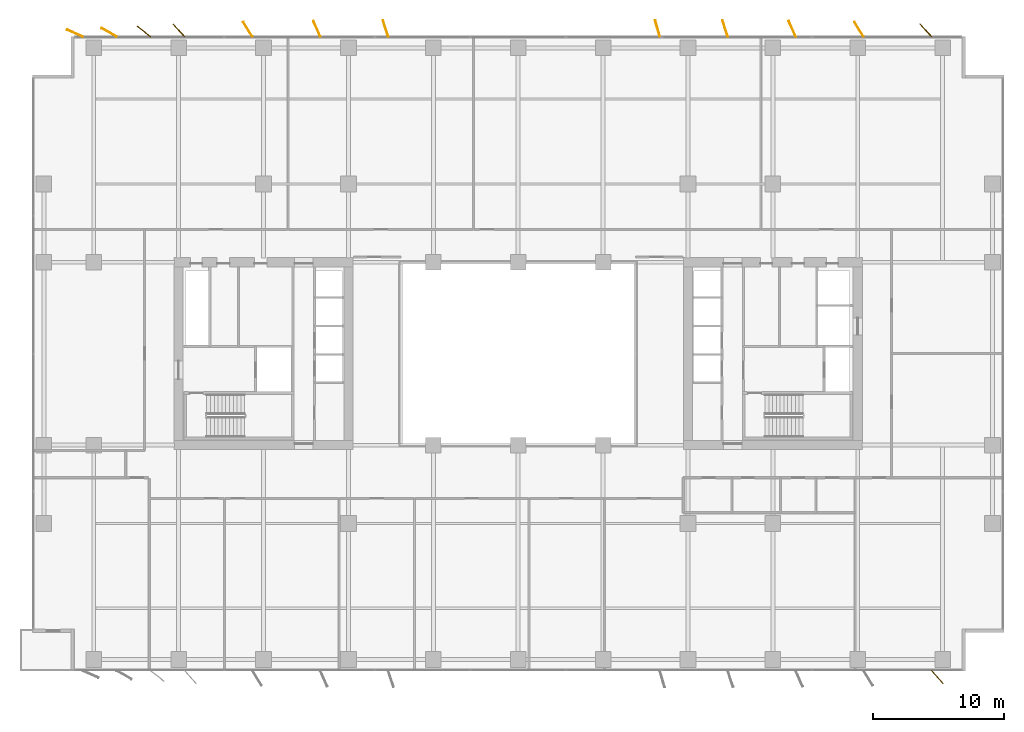
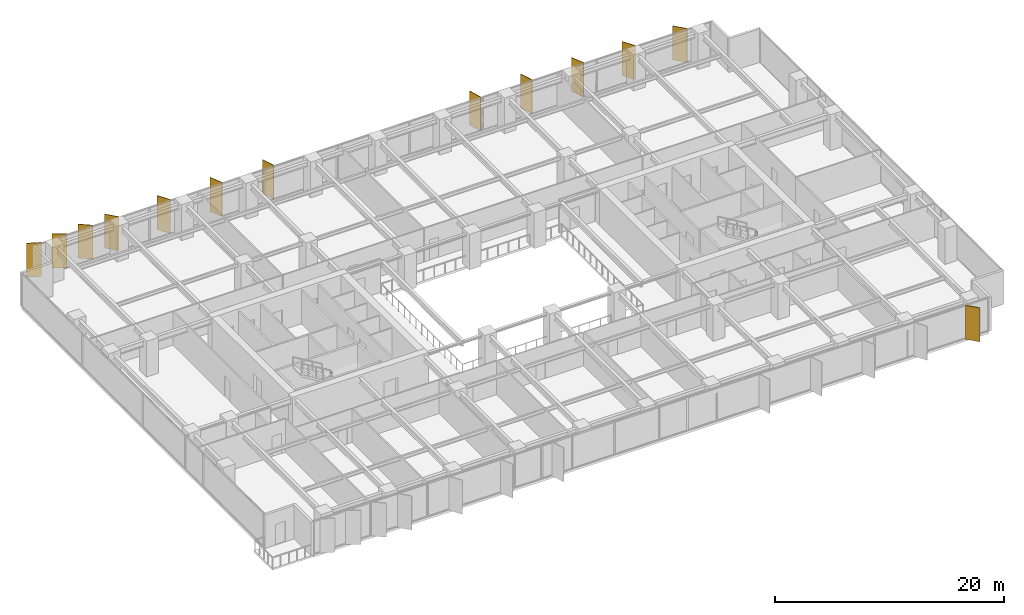
# One storey, part 20 of 20: 13 shading devices.
"""IFC4 building model written with IfcOpenShell, lengths in metres."""

import ifcopenshell
import ifcopenshell.guid

model = None  # the IFC model being written
_history = None  # IfcOwnerHistory: only IFC2X3 demands one
_inside = {}  # id of a spatial element -> (the spatial element, [elements in it])
_under = {}  # id of a project, library or spatial element -> (it, [spatial elements below it])
_declared = {}  # id of a project -> (the project, [libraries it declares])
_typed = {}  # id of a type object -> (the type object, [elements of that type])
_made_of = {}  # id of a material, layer set ... -> (it, [elements and type objects made of it])


def new_model(schema):
    """Start an empty IFC model of exactly this schema.

    Asked for "IFC4X3", IfcOpenShell would pick the latest addendum, in which some entities
    have other attributes; the version numbers below select the first issue.
    IFC2X3 requires an IfcOwnerHistory on every rooted entity: one is made here for all.
    """
    global model, _history
    if schema == "IFC4X3":
        model = ifcopenshell.file(schema_version=(4, 3, 0, 0))
    else:
        model = ifcopenshell.file(schema=schema)
    _inside.clear()
    _under.clear()
    _declared.clear()
    _typed.clear()
    _made_of.clear()
    _history = None
    if model.schema == "IFC2X3":
        org = make("IfcOrganization", Name="unknown")
        user = make(
            "IfcPersonAndOrganization",
            ThePerson=make("IfcPerson", FamilyName="unknown"),
            TheOrganization=org,
        )
        app = make(
            "IfcApplication",
            ApplicationDeveloper=org,
            Version="unknown",
            ApplicationFullName="unknown",
            ApplicationIdentifier="unknown",
        )
        _history = make(
            "IfcOwnerHistory",
            OwningUser=user,
            OwningApplication=app,
            ChangeAction="ADDED",
            CreationDate=0,
        )
    return model


def make(cls, **values):
    """One entity of the class cls with the attributes given. An attribute that is None is left unset."""
    return model.create_entity(
        cls, **{name: value for name, value in values.items() if value is not None}
    )


def rooted(cls, **values):
    """An entity with a GlobalId (a new one), such as an element, a storey or a relation."""
    return make(cls, GlobalId=ifcopenshell.guid.new(), OwnerHistory=_history, **values)


def si_unit(unit_type, name, prefix=None):
    """IfcSIUnit, for example si_unit("LENGTHUNIT", "METRE", prefix="MILLI")."""
    return make("IfcSIUnit", UnitType=unit_type, Prefix=prefix, Name=name)


def assignment(units):
    """IfcUnitAssignment: the units of a project."""
    return None if units is None else make("IfcUnitAssignment", Units=units)


def point(xyz):
    """IfcCartesianPoint."""
    return None if xyz is None else make("IfcCartesianPoint", Coordinates=xyz)


def direction(xyz):
    """IfcDirection."""
    return None if xyz is None else make("IfcDirection", DirectionRatios=xyz)


def frame(location, z_axis=None, x_axis=None):
    """IfcAxis2Placement3D, a coordinate frame: its origin and axes. An axis left out is left unset."""
    return make(
        "IfcAxis2Placement3D",
        Location=point(location),
        Axis=direction(z_axis),
        RefDirection=direction(x_axis),
    )


def frame_2d(location, x_axis=None):
    """IfcAxis2Placement2D, a coordinate frame in the plane: its origin and x axis."""
    return make(
        "IfcAxis2Placement2D", Location=point(location), RefDirection=direction(x_axis)
    )


def origin():
    """The frame at (0, 0, 0) with its axes left unset."""
    return frame((0.0, 0.0, 0.0))


def origin_2d():
    """The frame at (0, 0) in the plane with its x axis left unset."""
    return frame_2d((0.0, 0.0))


def place(relative_to, where):
    """IfcLocalPlacement: puts the frame where relative to a parent placement (None: the world)."""
    return make(
        "IfcLocalPlacement", PlacementRelTo=relative_to, RelativePlacement=where
    )


def context(
    kind, dimensions, precision=None, world=None, true_north=None, identifier=None
):
    """IfcGeometricRepresentationContext, for example the 3D "Model" context."""
    return make(
        "IfcGeometricRepresentationContext",
        ContextIdentifier=identifier,
        ContextType=kind,
        CoordinateSpaceDimension=dimensions,
        Precision=precision,
        WorldCoordinateSystem=world,
        TrueNorth=true_north,
    )


def subcontext(parent, identifier, kind, view, scale=None):
    """IfcGeometricRepresentationSubContext, for example "Body" below "Model"."""
    return make(
        "IfcGeometricRepresentationSubContext",
        ContextIdentifier=identifier,
        ContextType=kind,
        ParentContext=parent,
        TargetScale=scale,
        TargetView=view,
    )


def project(units=None, contexts=None):
    """IfcProject with its units and contexts."""
    return rooted(
        "IfcProject",
        Name="project",
        RepresentationContexts=contexts,
        UnitsInContext=assignment(units),
    )


def spatial(cls, under=None, at=None, **own):
    """A site, building, storey or space (cls), placed at a placement, below another one or the project."""
    s = rooted(cls, ObjectPlacement=at, **own)
    if under is not None:
        _under.setdefault(under.id(), (under, []))[1].append(s)
    return s


def profile(cls, at=None, kind="AREA", **sizes):
    """A parametric profile (cls). Its sizes go by their IFC names, for example OverallWidth=200.0."""
    return make(cls, ProfileType=kind, Position=at, **sizes)


def rectangle(**sizes):
    """IfcRectangleProfileDef."""
    return profile("IfcRectangleProfileDef", **sizes)


def extrude(swept, where, along, depth):
    """IfcExtrudedAreaSolid: the profile swept, set in the frame where, extruded along a direction by depth."""
    return make(
        "IfcExtrudedAreaSolid",
        SweptArea=swept,
        Position=where,
        ExtrudedDirection=direction(along),
        Depth=depth,
    )


def shape(context_of_items, identifier, shape_type, items):
    """IfcShapeRepresentation: the items that make up one representation, for example the "Body"."""
    return make(
        "IfcShapeRepresentation",
        ContextOfItems=context_of_items,
        RepresentationIdentifier=identifier,
        RepresentationType=shape_type,
        Items=items,
    )


def material(Name=None, Category=None):
    """IfcMaterial."""
    return make("IfcMaterial", Name=Name, Category=Category)


def layer(
    of_material, thickness, ventilated=None, Name=None, Category=None, Priority=None
):
    """IfcMaterialLayer: one layer of a wall or slab, of a material (None: an air gap)."""
    return make(
        "IfcMaterialLayer",
        Material=of_material,
        LayerThickness=thickness,
        IsVentilated=ventilated,
        Name=Name,
        Category=Category,
        Priority=Priority,
    )


def layer_set(layers, Name=None):
    """IfcMaterialLayerSet."""
    return make("IfcMaterialLayerSet", MaterialLayers=layers, LayerSetName=Name)


def made_of(thing, what):
    """Note that an element or type object is made of a material, layer set ...; save() writes the relation."""
    if what is not None:
        _made_of.setdefault(what.id(), (what, []))[1].append(thing)
    return thing


def type_object(cls, material=None, **own):
    """A type object (cls), such as IfcWallType, which elements share."""
    return made_of(rooted(cls, **own), material)


def element(
    cls,
    number,
    at=None,
    inside=None,
    cuts=None,
    type_object=None,
    material=None,
    context=None,
    identifier="Body",
    shape_type=None,
    held_by="IfcProductDefinitionShape",
    body=None,
    shapes=None,
    **own,
):
    """One element of the class cls, such as IfcWall. Its Tag is "e" and its number.

    at: its placement. inside: the storey or other place that contains it. cuts: it is an
    opening in that element (IfcRelVoidsElement). A single representation is given by context,
    identifier, shape_type and body (its items); several are given by shapes. held_by: the class
    of the entity that holds the representations. save() writes the other relations.
    """
    e = rooted(cls, Tag="e%d" % number, ObjectPlacement=at, **own)
    if body is not None:
        shapes = [shape(context, identifier, shape_type, body)]
    if shapes is not None:
        e.Representation = make(held_by, Representations=shapes)
    if inside is not None:
        _inside.setdefault(inside.id(), (inside, []))[1].append(e)
    if cuts is not None:
        rooted(
            "IfcRelVoidsElement", RelatingBuildingElement=cuts, RelatedOpeningElement=e
        )
    if type_object is not None:
        _typed.setdefault(type_object.id(), (type_object, []))[1].append(e)
    return made_of(e, material)


def aggregate(whole, parts):
    """IfcRelAggregates: a whole, such as a stair, and the parts it consists of."""
    return rooted("IfcRelAggregates", RelatingObject=whole, RelatedObjects=parts)


def save(model, path):
    """Write the relations noted so far, then the file.

    IfcRelAggregates (storeys below a building ...), IfcRelContainedInSpatialStructure (elements
    in a storey), IfcRelDefinesByType, IfcRelAssociatesMaterial and IfcRelDeclares: one each for
    every whole, place, type object, material and project.
    """
    for whole, parts in _under.values():
        aggregate(whole, parts)
    for where, things in _inside.values():
        rooted(
            "IfcRelContainedInSpatialStructure",
            RelatedElements=things,
            RelatingStructure=where,
        )
    for kind, things in _typed.values():
        rooted("IfcRelDefinesByType", RelatedObjects=things, RelatingType=kind)
    for what, things in _made_of.values():
        rooted("IfcRelAssociatesMaterial", RelatedObjects=things, RelatingMaterial=what)
    for by, libraries in _declared.values():
        rooted("IfcRelDeclares", RelatingContext=by, RelatedDefinitions=libraries)
    model.write(path)


model = new_model("IFC4")

# Units and contexts
model_context = context("Model", 3, precision=1e-05, world=origin(), true_north=direction((0.0, 1.0)))
body_context = subcontext(model_context, "Body", "Model", "MODEL_VIEW")
ifc_project = project(units=[si_unit("LENGTHUNIT", "METRE"), si_unit("AREAUNIT", "SQUARE_METRE"), si_unit("VOLUMEUNIT", "CUBIC_METRE"), si_unit("PLANEANGLEUNIT", "RADIAN"), si_unit("MASSUNIT", "GRAM", prefix="KILO")], contexts=[model_context])

# Site, building, storey
site_placement = place(None, origin())
site = spatial("IfcSite", under=ifc_project, at=site_placement, CompositionType="ELEMENT")
building_placement = place(site_placement, origin())
building = spatial("IfcBuilding", under=site, at=building_placement, Name="Putna Gate Headquarters", CompositionType="ELEMENT")
storey_placement = place(building_placement, frame((0.0, 0.0, 93.60009765625)))
storey = spatial("IfcBuildingStorey", under=building, at=storey_placement, Name="L22", CompositionType="ELEMENT", Elevation=93.60009765625)

# Shading devices
ifc_material = material(Name="Anodised architectural bronze aluminium fin", Category="aluminium")
ifc_layer = layer(ifc_material, 0.06494140625)
ifc_layer_set = layer_set([ifc_layer], Name="Anodised architectural bronze aluminium fin")
shading_device_type = type_object("IfcShadingDeviceType", Name="SHADE-BRONZE-FIN-1320", PredefinedType="USERDEFINED", material=ifc_layer_set)
for number, where, z_axis, x_axis, name in (
    (1, (5.047119140625, 50.543212890625, -0.02001953125), (0.0, 0.0, 1.0), (-0.913687379856, 0.40641773078, 0.0), "L22 Bronze Vertical Shading Fin N1"),
    (2, (7.67626953125, 50.601318359375, -0.02001953125), (0.0, 0.0, 1.0), (-0.869322458298, 0.494245347472, 0.0), "L22 Bronze Vertical Shading Fin N2"),
    (3, (10.330322265625, 50.681884765625, -0.02001953125), (0.0, 0.0, 1.0), (-0.787473187632, 0.616348909921, 0.0), "L22 Bronze Vertical Shading Fin N3"),
    (4, (13.00830078125, 50.765380859375, -0.02001953125), (0.0, 0.0, 1.0), (-0.669130606359, 0.743144825477, 0.0), "L22 Bronze Vertical Shading Fin N4"),
    (5, (18.2998046875, 50.83447265625, -0.02001953125), (0.0, 0.0, 1.0), (-0.530659123936, 0.847585331506, 0.0), "L22 Bronze Vertical Shading Fin N5"),
    (6, (23.585693359375, 50.879638671875, -0.02001953125), (0.0, 0.0, 1.0), (-0.400668879095, 0.916222925562, 0.0), "L22 Bronze Vertical Shading Fin N6"),
    (7, (28.84619140625, 50.90283203125, -0.02001953125), (0.0, 0.0, 1.0), (-0.308684994204, 0.951164325631, 0.0), "L22 Bronze Vertical Shading Fin N7"),
    (8, (49.668212890625, 50.909423828125, -0.02001953125), (0.0, 0.0, 1.0), (-0.275637355817, 0.961261695938, 0.0), "L22 Bronze Vertical Shading Fin N8"),
    (9, (54.84619140625, 50.90283203125, -0.02001953125), (0.0, 0.0, 1.0), (-0.308684994204, 0.951164325631, 0.0), "L22 Bronze Vertical Shading Fin N9"),
    (10, (59.985595703125, 50.879638671875, -0.02001953125), (0.0, 0.0, 1.0), (-0.400668879095, 0.916222925562, 0.0), "L22 Bronze Vertical Shading Fin N10"),
    (11, (65.099853515625, 50.83447265625, -0.02001953125), (0.0, 0.0, 1.0), (-0.530659123936, 0.847585331506, 0.0), "L22 Bronze Vertical Shading Fin N11"),
    (12, (71.091552734375, 1.234619140625, -0.02001953125), (0.0, 0.0, 1.0), (0.669130606359, -0.743144825477, 0.0), "L22 Bronze Vertical Shading Fin S12"),
    (13, (70.20849609375, 50.765380859375, -0.02001953125), (0.0, 0.0, 1.0), (-0.669130606359, 0.743144825477, 0.0), "L22 Bronze Vertical Shading Fin N12"),
):
    element("IfcShadingDevice", number, at=place(storey_placement, frame(where, z_axis=z_axis, x_axis=x_axis)), inside=storey, type_object=shading_device_type, Name=name, ObjectType="FIN", PredefinedType="USERDEFINED", context=body_context, shape_type="SweptSolid", body=[
        extrude(rectangle(XDim=1.320068359375, YDim=0.06494140625, at=origin_2d()), origin(), (0.0, 0.0, 1.0), 3.60498046875),
    ])

save(model, "model.ifc")
